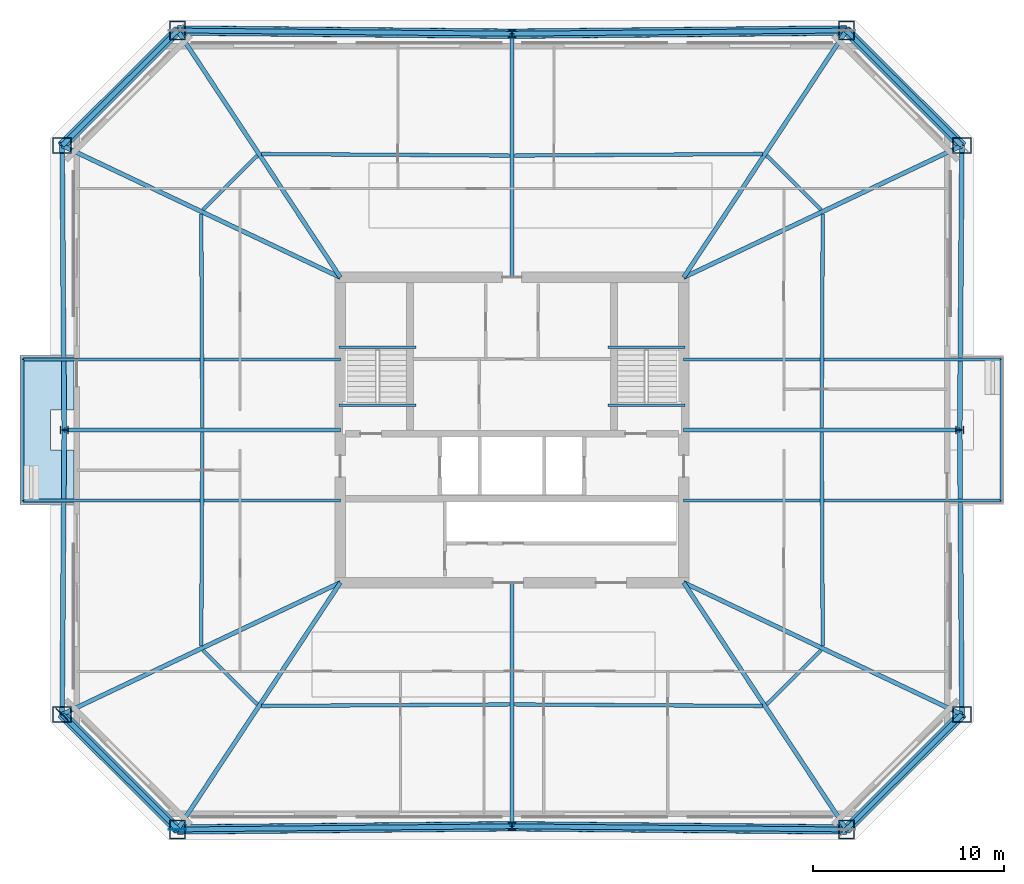
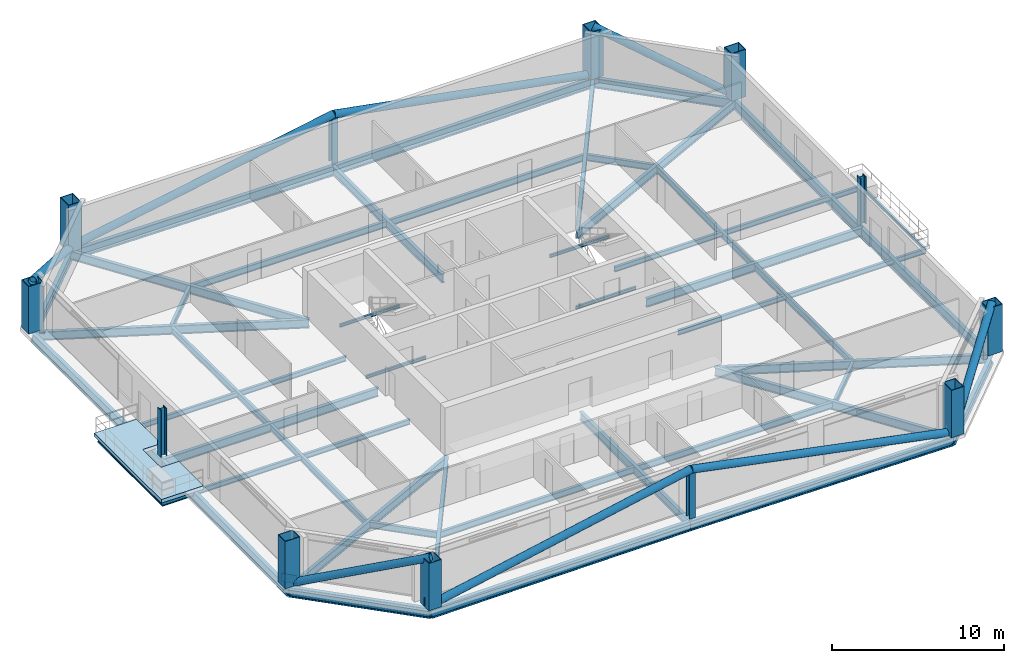
# One storey, part 1 of 8: 46 beams, 12 columns, 8 members, 2 plates, 1 slab.
"""IFC4 building model written with IfcOpenShell, lengths in metres."""

from ifc_helpers import new_model, si_unit, direction, frame, origin, origin_2d, place, context, subcontext, project, spatial, polyline, rectangle, hollow_rectangle, hollow_circle, i_section, outline, extrude, material, layer, layer_set, material_profile, profile_set, type_object, element, save


model = new_model("IFC4")

# Units and contexts
model_context = context("Model", 3, precision=1e-05, world=origin(), true_north=direction((0.0, 1.0)))
body_context = subcontext(model_context, "Body", "Model", "MODEL_VIEW")
ifc_project = project(units=[si_unit("LENGTHUNIT", "METRE"), si_unit("AREAUNIT", "SQUARE_METRE"), si_unit("VOLUMEUNIT", "CUBIC_METRE"), si_unit("PLANEANGLEUNIT", "RADIAN"), si_unit("MASSUNIT", "GRAM", prefix="KILO")], contexts=[model_context])

# Site, building, storey
site_placement = place(None, origin())
site = spatial("IfcSite", under=ifc_project, at=site_placement, CompositionType="ELEMENT")
building_placement = place(site_placement, origin())
building = spatial("IfcBuilding", under=site, at=building_placement, Name="Caelvoria Tower", CompositionType="ELEMENT")
storey_placement = place(building_placement, frame((0.0, 0.0, 138.39990234375)))
storey = spatial("IfcBuildingStorey", under=building, at=storey_placement, Name="L36", CompositionType="ELEMENT", Elevation=138.39990234375)

# Columns
ifc_material_1 = material(Name="Structural Steel ASTM A572 Gr.50", Category="steel")
ifc_material_profile_1 = material_profile(ifc_material_1, hollow_rectangle(XDim=0.85009765625, YDim=1.0, WallThickness=0.050048828125, at=origin_2d()), Name="Structural Steel ASTM A572 Gr.50")
ifc_profile_set_1 = profile_set([ifc_material_profile_1], Name="BOX1000X850X50 - Structural Steel ASTM A572 Gr.50")
column_type_1 = type_object("IfcColumnType", Name="Mega Box Column 1000x850x50", PredefinedType="COLUMN", material=ifc_profile_set_1)
for number, where, z_axis, x_axis, name in (
    (1, (28.462158203125, 11.052001953125, 0.0), (0.0, 0.0, 1.0), (1.0, 0.0, 0.0), "Perimeter Megaframe Column L36-P00"),
    (2, (63.537841796875, 11.052001953125, 0.0), (0.0, 0.0, 1.0), (1.0, 0.0, 0.0), "Perimeter Megaframe Column L36-P02"),
    (3, (69.59130859375, 17.084716796875, 0.0), (0.0, 0.0, 1.0), (0.0, 1.0, 0.0), "Perimeter Megaframe Column L36-P03"),
    (4, (69.59130859375, 46.915283203125, 0.0), (0.0, 0.0, 1.0), (0.0, 1.0, 0.0), "Perimeter Megaframe Column L36-P05"),
    (5, (63.537841796875, 52.947998046875, 0.0), (0.0, 0.0, 1.0), (1.0, 0.0, 0.0), "Perimeter Megaframe Column L36-P06"),
    (6, (28.462158203125, 52.947998046875, 0.0), (0.0, 0.0, 1.0), (1.0, 0.0, 0.0), "Perimeter Megaframe Column L36-P08"),
    (7, (22.40869140625, 46.915283203125, 0.0), (0.0, 0.0, 1.0), (0.0, 1.0, 0.0), "Perimeter Megaframe Column L36-P09"),
    (8, (22.40869140625, 17.084716796875, 0.0), (0.0, 0.0, 1.0), (0.0, 1.0, 0.0), "Perimeter Megaframe Column L36-P11"),
):
    element("IfcColumn", number, at=place(storey_placement, frame(where, z_axis=z_axis, x_axis=x_axis)), inside=storey, type_object=column_type_1, Name=name, PredefinedType="COLUMN", context=body_context, shape_type="SweptSolid", body=[
        extrude(hollow_rectangle(XDim=0.85009765625, YDim=1.0, WallThickness=0.050048828125, at=origin_2d()), origin(), (0.0, 0.0, 1.0), 3.358154296875),
    ])
ifc_material_2 = material(Name="Structural Steel ASTM A992 Gr.50", Category="steel")
ifc_material_profile_2 = material_profile(ifc_material_2, i_section(OverallWidth=0.406005859375, OverallDepth=0.425048828125, WebThickness=0.03271484375, FlangeThickness=0.052490234375, FilletRadius=0.02490234375, at=origin_2d()), Name="Structural Steel ASTM A992 Gr.50")
ifc_profile_set_2 = profile_set([ifc_material_profile_2], Name="W360X421 - Structural Steel ASTM A992 Gr.50")
column_type_2 = type_object("IfcColumnType", Name="Mid Frame Column W360X421", PredefinedType="COLUMN", material=ifc_profile_set_2)
for number, where, z_axis, x_axis, name in (
    (9, (46.0, 11.219970703125, 0.0), (0.0, 0.0, 1.0), (1.0, 0.0, 0.0), "Perimeter Megaframe Column L36-P01"),
    (10, (69.47998046875, 32.0, 0.0), (0.0, 0.0, 1.0), (0.0, 1.0, 0.0), "Perimeter Megaframe Column L36-P04"),
    (11, (46.0, 52.780029296875, 0.0), (0.0, 0.0, 1.0), (1.0, 0.0, 0.0), "Perimeter Megaframe Column L36-P07"),
    (12, (22.52001953125, 32.0, 0.0), (0.0, 0.0, 1.0), (0.0, 1.0, 0.0), "Perimeter Megaframe Column L36-P10"),
):
    element("IfcColumn", number, at=place(storey_placement, frame(where, z_axis=z_axis, x_axis=x_axis)), inside=storey, type_object=column_type_2, Name=name, PredefinedType="COLUMN", context=body_context, shape_type="SweptSolid", body=[
        extrude(i_section(OverallWidth=0.406005859375, OverallDepth=0.425048828125, WebThickness=0.03271484375, FlangeThickness=0.052490234375, FilletRadius=0.02490234375, at=origin_2d()), origin(), (0.0, 0.0, 1.0), 3.358154296875),
    ])

# Beams
ifc_material_profile_3 = material_profile(ifc_material_2, i_section(OverallWidth=0.134033203125, OverallDepth=0.2099609375, WebThickness=0.00634765625, FlangeThickness=0.01025390625, FilletRadius=0.010009765625, at=origin_2d()), Name="Structural Steel ASTM A992 Gr.50")
ifc_profile_set_3 = profile_set([ifc_material_profile_3], Name="W200X31.3 - Structural Steel ASTM A992 Gr.50")
beam_type_1 = type_object("IfcBeamType", Name="Canopy Edge Trim Beam W200X31.3", PredefinedType="BEAM", material=ifc_profile_set_3)
for number, where, z_axis, x_axis, name in (
    (13, (20.35009765625, 28.300048828125, -0.428955078125), (0.0, 1.0, 0.0), (-1.0, 0.0, 0.0), "Tree Balcony Edge Beam TB-L36-W"),
    (14, (71.64990234375, 28.300048828125, -0.428955078125), (0.0, 1.0, 0.0), (-1.0, 0.0, 0.0), "Tree Balcony Edge Beam TB-L36-E"),
):
    element("IfcBeam", number, at=place(storey_placement, frame(where, z_axis=z_axis, x_axis=x_axis)), inside=storey, type_object=beam_type_1, Name=name, PredefinedType="BEAM", context=body_context, shape_type="SweptSolid", body=[
        extrude(i_section(OverallWidth=0.134033203125, OverallDepth=0.2099609375, WebThickness=0.00634765625, FlangeThickness=0.01025390625, FilletRadius=0.010009765625, at=origin_2d()), origin(), (0.0, 0.0, 1.0), 7.39990234375),
    ])
for number, where, z_axis, x_axis, name in (
    (15, (36.929931640625, 36.35009765625, 1.4951171875), (1.0, 0.0, 0.0), (0.0, 1.0, 0.0), "ST-01 Half-Landing Support Beam L36"),
    (16, (36.929931640625, 33.300048828125, -0.304931640625), (1.0, 0.0, 0.0), (0.0, 1.0, 0.0), "ST-01 Floor-Landing Support Beam L36"),
    (17, (51.030029296875, 36.35009765625, 1.4951171875), (1.0, 0.0, 0.0), (0.0, 1.0, 0.0), "ST-02 Half-Landing Support Beam L36"),
    (18, (51.030029296875, 33.300048828125, -0.304931640625), (1.0, 0.0, 0.0), (0.0, 1.0, 0.0), "ST-02 Floor-Landing Support Beam L36"),
):
    element("IfcBeam", number, at=place(storey_placement, frame(where, z_axis=z_axis, x_axis=x_axis)), inside=storey, type_object=beam_type_1, Name=name, PredefinedType="BEAM", context=body_context, shape_type="SweptSolid", body=[
        extrude(i_section(OverallWidth=0.134033203125, OverallDepth=0.2099609375, WebThickness=0.00634765625, FlangeThickness=0.01025390625, FilletRadius=0.010009765625, at=origin_2d()), origin(), (0.0, 0.0, 1.0), 4.0400390625),
    ])

# Members
ifc_material_profile_4 = material_profile(ifc_material_1, hollow_circle(Radius=0.25390625, WallThickness=0.02001953125, at=origin_2d()), Name="Structural Steel ASTM A572 Gr.50")
ifc_profile_set_4 = profile_set([ifc_material_profile_4], Name="CHS508X20 - Structural Steel ASTM A572 Gr.50")
member_type = type_object("IfcMemberType", Name="Mid Perimeter Mega Brace CHS508X20", PredefinedType="BRACE", material=ifc_profile_set_4)
for number, where, z_axis, x_axis, name in (
    (19, (63.537841796875, 11.052001953125, 0.0), (0.659199934996, 0.656940124773, 0.365903154078), (-0.705891639545, 0.708319838224, 0.0), "Perimeter Chamfer Mega Brace L36 SE"),
    (20, (69.59130859375, 46.915283203125, 0.0), (-0.659199934996, 0.656940124773, 0.365903154078), (-0.705891639545, -0.708319838224, 0.0), "Perimeter Chamfer Mega Brace L36 NE"),
    (21, (28.462158203125, 52.947998046875, 0.0), (-0.659199934996, -0.656940124773, 0.365903154078), (0.705891639545, -0.708319838224, 0.0), "Perimeter Chamfer Mega Brace L36 NW"),
    (22, (22.40869140625, 17.084716796875, 0.0), (0.659199934996, -0.656940124773, 0.365903154078), (0.705891639545, 0.708319838224, 0.0), "Perimeter Chamfer Mega Brace L36 SW"),
):
    element("IfcMember", number, at=place(storey_placement, frame(where, z_axis=z_axis, x_axis=x_axis)), inside=storey, type_object=member_type, Name=name, PredefinedType="BRACE", context=body_context, shape_type="SweptSolid", body=[
        extrude(hollow_circle(Radius=0.25390625, WallThickness=0.02001953125, at=origin_2d()), origin(), (0.0, 0.0, 1.0), 9.18310546875),
    ])
for number, where, z_axis, x_axis, name in (
    (23, (28.462158203125, 11.052001953125, 0.0), (0.982093148225, 0.009406001058, 0.188161035693), (-0.009577064767, 0.999954138864, 0.0), "Perimeter Cardinal Mega Brace L36 SA"),
    (24, (63.537841796875, 11.052001953125, 0.0), (-0.982093148225, 0.009406001058, 0.188161035693), (-0.009577064767, -0.999954138864, 0.0), "Perimeter Cardinal Mega Brace L36 SB"),
    (25, (63.537841796875, 52.947998046875, 0.0), (-0.982093148225, -0.009406001058, 0.188161035693), (0.009577064767, -0.999954138864, 0.0), "Perimeter Cardinal Mega Brace L36 NA"),
    (26, (28.462158203125, 52.947998046875, 0.0), (0.982093148225, -0.009406001058, 0.188161035693), (0.009577064767, 0.999954138864, 0.0), "Perimeter Cardinal Mega Brace L36 NB"),
):
    element("IfcMember", number, at=place(storey_placement, frame(where, z_axis=z_axis, x_axis=x_axis)), inside=storey, type_object=member_type, Name=name, PredefinedType="BRACE", context=body_context, shape_type="SweptSolid", body=[
        extrude(hollow_circle(Radius=0.25390625, WallThickness=0.02001953125, at=origin_2d()), origin(), (0.0, 0.0, 1.0), 17.857666015625),
    ])

# Beams
ifc_material_profile_5 = material_profile(ifc_material_2, i_section(OverallWidth=0.25390625, OverallDepth=0.68798828125, WebThickness=0.01318359375, FlangeThickness=0.02099609375, FilletRadius=0.01904296875, at=origin_2d()), Name="Structural Steel ASTM A992 Gr.50")
ifc_profile_set_5 = profile_set([ifc_material_profile_5], Name="W690X152 - Structural Steel ASTM A992 Gr.50")
beam_type_2 = type_object("IfcBeamType", Name="Perimeter Spandrel Girder W690X152", PredefinedType="BEAM", material=ifc_profile_set_5)
for number, where, z_axis, x_axis, name in (
    (27, (28.462158203125, 11.052001953125, -0.583984375), (0.999954138864, 0.009577064767, 0.0), (-0.009577064767, 0.999954138864, 0.0), "Perimeter Spandrel Girder L36-00"),
    (28, (46.0, 11.219970703125, -0.583984375), (0.999954138864, -0.009577064767, 0.0), (0.009577064767, 0.999954138864, 0.0), "Perimeter Spandrel Girder L36-01"),
):
    element("IfcBeam", number, at=place(storey_placement, frame(where, z_axis=z_axis, x_axis=x_axis)), inside=storey, type_object=beam_type_2, Name=name, PredefinedType="BEAM", context=body_context, shape_type="SweptSolid", body=[
        extrude(i_section(OverallWidth=0.25390625, OverallDepth=0.68798828125, WebThickness=0.01318359375, FlangeThickness=0.02099609375, FilletRadius=0.01904296875, at=origin_2d()), origin(), (0.0, 0.0, 1.0), 17.53857421875),
    ])
beam_1_placement = place(storey_placement, frame((63.537841796875, 11.052001953125, -0.583984375), z_axis=(0.708319838224, 0.705891639545, 0.0), x_axis=(-0.705891639545, 0.708319838224, 0.0)))
element("IfcBeam", 29, at=beam_1_placement, inside=storey, type_object=beam_type_2, Name="Perimeter Spandrel Girder L36-02", PredefinedType="BEAM", context=body_context, shape_type="SweptSolid", body=[
    extrude(i_section(OverallWidth=0.25390625, OverallDepth=0.68798828125, WebThickness=0.01318359375, FlangeThickness=0.02099609375, FilletRadius=0.01904296875, at=origin_2d()), origin(), (0.0, 0.0, 1.0), 8.546142578125),
])
for number, where, z_axis, x_axis, name in (
    (30, (69.59130859375, 17.084716796875, -0.583984375), (-0.007463822341, 0.99997214529, 0.0), (-0.99997214529, -0.007463822341, 0.0), "Perimeter Spandrel Girder L36-03"),
    (31, (69.47998046875, 32.0, -0.583984375), (0.007463822341, 0.99997214529, 0.0), (-0.99997214529, 0.007463822341, 0.0), "Perimeter Spandrel Girder L36-04"),
):
    element("IfcBeam", number, at=place(storey_placement, frame(where, z_axis=z_axis, x_axis=x_axis)), inside=storey, type_object=beam_type_2, Name=name, PredefinedType="BEAM", context=body_context, shape_type="SweptSolid", body=[
        extrude(i_section(OverallWidth=0.25390625, OverallDepth=0.68798828125, WebThickness=0.01318359375, FlangeThickness=0.02099609375, FilletRadius=0.01904296875, at=origin_2d()), origin(), (0.0, 0.0, 1.0), 14.915771484375),
    ])
beam_2_placement = place(storey_placement, frame((69.59130859375, 46.915283203125, -0.583984375), z_axis=(-0.708319838224, 0.705891639545, 0.0), x_axis=(-0.705891639545, -0.708319838224, 0.0)))
element("IfcBeam", 32, at=beam_2_placement, inside=storey, type_object=beam_type_2, Name="Perimeter Spandrel Girder L36-05", PredefinedType="BEAM", context=body_context, shape_type="SweptSolid", body=[
    extrude(i_section(OverallWidth=0.25390625, OverallDepth=0.68798828125, WebThickness=0.01318359375, FlangeThickness=0.02099609375, FilletRadius=0.01904296875, at=origin_2d()), origin(), (0.0, 0.0, 1.0), 8.546142578125),
])
for number, where, z_axis, x_axis, name in (
    (33, (63.537841796875, 52.947998046875, -0.583984375), (-0.999954138864, -0.009577064767, 0.0), (0.009577064767, -0.999954138864, 0.0), "Perimeter Spandrel Girder L36-06"),
    (34, (46.0, 52.780029296875, -0.583984375), (-0.999954138864, 0.009577064767, 0.0), (-0.009577064767, -0.999954138864, 0.0), "Perimeter Spandrel Girder L36-07"),
):
    element("IfcBeam", number, at=place(storey_placement, frame(where, z_axis=z_axis, x_axis=x_axis)), inside=storey, type_object=beam_type_2, Name=name, PredefinedType="BEAM", context=body_context, shape_type="SweptSolid", body=[
        extrude(i_section(OverallWidth=0.25390625, OverallDepth=0.68798828125, WebThickness=0.01318359375, FlangeThickness=0.02099609375, FilletRadius=0.01904296875, at=origin_2d()), origin(), (0.0, 0.0, 1.0), 17.53857421875),
    ])
beam_3_placement = place(storey_placement, frame((28.462158203125, 52.947998046875, -0.583984375), z_axis=(-0.708319838224, -0.705891639545, 0.0), x_axis=(0.705891639545, -0.708319838224, 0.0)))
element("IfcBeam", 35, at=beam_3_placement, inside=storey, type_object=beam_type_2, Name="Perimeter Spandrel Girder L36-08", PredefinedType="BEAM", context=body_context, shape_type="SweptSolid", body=[
    extrude(i_section(OverallWidth=0.25390625, OverallDepth=0.68798828125, WebThickness=0.01318359375, FlangeThickness=0.02099609375, FilletRadius=0.01904296875, at=origin_2d()), origin(), (0.0, 0.0, 1.0), 8.546142578125),
])
for number, where, z_axis, x_axis, name in (
    (36, (22.40869140625, 46.915283203125, -0.583984375), (0.007463822341, -0.99997214529, 0.0), (0.99997214529, 0.007463822341, 0.0), "Perimeter Spandrel Girder L36-09"),
    (37, (22.52001953125, 32.0, -0.583984375), (-0.007463822341, -0.99997214529, 0.0), (0.99997214529, -0.007463822341, 0.0), "Perimeter Spandrel Girder L36-10"),
):
    element("IfcBeam", number, at=place(storey_placement, frame(where, z_axis=z_axis, x_axis=x_axis)), inside=storey, type_object=beam_type_2, Name=name, PredefinedType="BEAM", context=body_context, shape_type="SweptSolid", body=[
        extrude(i_section(OverallWidth=0.25390625, OverallDepth=0.68798828125, WebThickness=0.01318359375, FlangeThickness=0.02099609375, FilletRadius=0.01904296875, at=origin_2d()), origin(), (0.0, 0.0, 1.0), 14.915771484375),
    ])
beam_4_placement = place(storey_placement, frame((22.40869140625, 17.084716796875, -0.583984375), z_axis=(0.708319838224, -0.705891639545, 0.0), x_axis=(0.705891639545, 0.708319838224, 0.0)))
element("IfcBeam", 38, at=beam_4_placement, inside=storey, type_object=beam_type_2, Name="Perimeter Spandrel Girder L36-11", PredefinedType="BEAM", context=body_context, shape_type="SweptSolid", body=[
    extrude(i_section(OverallWidth=0.25390625, OverallDepth=0.68798828125, WebThickness=0.01318359375, FlangeThickness=0.02099609375, FilletRadius=0.01904296875, at=origin_2d()), origin(), (0.0, 0.0, 1.0), 8.546142578125),
])
ifc_material_profile_6 = material_profile(ifc_material_2, i_section(OverallWidth=0.22900390625, OverallDepth=0.612060546875, WebThickness=0.011962890625, FlangeThickness=0.01953125, FilletRadius=0.01806640625, at=origin_2d()), Name="Structural Steel ASTM A992 Gr.50")
ifc_profile_set_6 = profile_set([ifc_material_profile_6], Name="W610X125 - Structural Steel ASTM A992 Gr.50")
beam_type_3 = type_object("IfcBeamType", Name="Primary Radial Floor Girder W610X125", PredefinedType="BEAM", material=ifc_profile_set_6)
beam_5_placement = place(storey_placement, frame((37.0, 24.0, -0.5458984375), z_axis=(-0.550490183299, -0.834841636535, 0.0), x_axis=(0.834841636535, -0.550490183299, 0.0)))
element("IfcBeam", 39, at=beam_5_placement, inside=storey, type_object=beam_type_3, Name="Primary Floor Girder L36-00", PredefinedType="BEAM", context=body_context, shape_type="SweptSolid", body=[
    extrude(i_section(OverallWidth=0.22900390625, OverallDepth=0.612060546875, WebThickness=0.011962890625, FlangeThickness=0.01953125, FilletRadius=0.01806640625, at=origin_2d()), origin(), (0.0, 0.0, 1.0), 15.509521484375),
])
beam_6_placement = place(storey_placement, frame((46.0, 24.0, -0.5458984375), z_axis=(0.0, -1.0, 0.0), x_axis=(1.0, 0.0, 0.0)))
element("IfcBeam", 40, at=beam_6_placement, inside=storey, type_object=beam_type_3, Name="Primary Floor Girder L36-01", PredefinedType="BEAM", context=body_context, shape_type="SweptSolid", body=[
    extrude(i_section(OverallWidth=0.22900390625, OverallDepth=0.612060546875, WebThickness=0.011962890625, FlangeThickness=0.01953125, FilletRadius=0.01806640625, at=origin_2d()), origin(), (0.0, 0.0, 1.0), 12.780029296875),
])
beam_7_placement = place(storey_placement, frame((55.0, 24.0, -0.5458984375), z_axis=(0.550490183299, -0.834841636535, 0.0), x_axis=(0.834841636535, 0.550490183299, 0.0)))
element("IfcBeam", 41, at=beam_7_placement, inside=storey, type_object=beam_type_3, Name="Primary Floor Girder L36-02", PredefinedType="BEAM", context=body_context, shape_type="SweptSolid", body=[
    extrude(i_section(OverallWidth=0.22900390625, OverallDepth=0.612060546875, WebThickness=0.011962890625, FlangeThickness=0.01953125, FilletRadius=0.01806640625, at=origin_2d()), origin(), (0.0, 0.0, 1.0), 15.509521484375),
])
beam_8_placement = place(storey_placement, frame((55.0, 24.0, -0.5458984375), z_axis=(0.903651309057, -0.428268971138, 0.0), x_axis=(0.428268971138, 0.903651309057, 0.0)))
element("IfcBeam", 42, at=beam_8_placement, inside=storey, type_object=beam_type_3, Name="Primary Floor Girder L36-03", PredefinedType="BEAM", context=body_context, shape_type="SweptSolid", body=[
    extrude(i_section(OverallWidth=0.22900390625, OverallDepth=0.612060546875, WebThickness=0.011962890625, FlangeThickness=0.01953125, FilletRadius=0.01806640625, at=origin_2d()), origin(), (0.0, 0.0, 1.0), 16.14697265625),
])
beam_9_placement = place(storey_placement, frame((55.0, 32.0, -0.5458984375), z_axis=(1.0, 0.0, 0.0), x_axis=(0.0, 1.0, 0.0)))
element("IfcBeam", 43, at=beam_9_placement, inside=storey, type_object=beam_type_3, Name="Primary Floor Girder L36-04", PredefinedType="BEAM", context=body_context, shape_type="SweptSolid", body=[
    extrude(i_section(OverallWidth=0.22900390625, OverallDepth=0.612060546875, WebThickness=0.011962890625, FlangeThickness=0.01953125, FilletRadius=0.01806640625, at=origin_2d()), origin(), (0.0, 0.0, 1.0), 14.47998046875),
])
beam_10_placement = place(storey_placement, frame((55.0, 40.0, -0.5458984375), z_axis=(0.903651309057, 0.428268971138, 0.0), x_axis=(-0.428268971138, 0.903651309057, 0.0)))
element("IfcBeam", 44, at=beam_10_placement, inside=storey, type_object=beam_type_3, Name="Primary Floor Girder L36-05", PredefinedType="BEAM", context=body_context, shape_type="SweptSolid", body=[
    extrude(i_section(OverallWidth=0.22900390625, OverallDepth=0.612060546875, WebThickness=0.011962890625, FlangeThickness=0.01953125, FilletRadius=0.01806640625, at=origin_2d()), origin(), (0.0, 0.0, 1.0), 16.14697265625),
])
beam_11_placement = place(storey_placement, frame((55.0, 40.0, -0.5458984375), z_axis=(0.550490183299, 0.834841636535, 0.0), x_axis=(-0.834841636535, 0.550490183299, 0.0)))
element("IfcBeam", 45, at=beam_11_placement, inside=storey, type_object=beam_type_3, Name="Primary Floor Girder L36-06", PredefinedType="BEAM", context=body_context, shape_type="SweptSolid", body=[
    extrude(i_section(OverallWidth=0.22900390625, OverallDepth=0.612060546875, WebThickness=0.011962890625, FlangeThickness=0.01953125, FilletRadius=0.01806640625, at=origin_2d()), origin(), (0.0, 0.0, 1.0), 15.509521484375),
])
beam_12_placement = place(storey_placement, frame((46.0, 40.0, -0.5458984375), z_axis=(0.0, 1.0, 0.0), x_axis=(-1.0, 0.0, 0.0)))
element("IfcBeam", 46, at=beam_12_placement, inside=storey, type_object=beam_type_3, Name="Primary Floor Girder L36-07", PredefinedType="BEAM", context=body_context, shape_type="SweptSolid", body=[
    extrude(i_section(OverallWidth=0.22900390625, OverallDepth=0.612060546875, WebThickness=0.011962890625, FlangeThickness=0.01953125, FilletRadius=0.01806640625, at=origin_2d()), origin(), (0.0, 0.0, 1.0), 12.780029296875),
])
beam_13_placement = place(storey_placement, frame((37.0, 40.0, -0.5458984375), z_axis=(-0.550490183299, 0.834841636535, 0.0), x_axis=(-0.834841636535, -0.550490183299, 0.0)))
element("IfcBeam", 47, at=beam_13_placement, inside=storey, type_object=beam_type_3, Name="Primary Floor Girder L36-08", PredefinedType="BEAM", context=body_context, shape_type="SweptSolid", body=[
    extrude(i_section(OverallWidth=0.22900390625, OverallDepth=0.612060546875, WebThickness=0.011962890625, FlangeThickness=0.01953125, FilletRadius=0.01806640625, at=origin_2d()), origin(), (0.0, 0.0, 1.0), 15.509521484375),
])
beam_14_placement = place(storey_placement, frame((37.0, 40.0, -0.5458984375), z_axis=(-0.903651309057, 0.428268971138, 0.0), x_axis=(-0.428268971138, -0.903651309057, 0.0)))
element("IfcBeam", 48, at=beam_14_placement, inside=storey, type_object=beam_type_3, Name="Primary Floor Girder L36-09", PredefinedType="BEAM", context=body_context, shape_type="SweptSolid", body=[
    extrude(i_section(OverallWidth=0.22900390625, OverallDepth=0.612060546875, WebThickness=0.011962890625, FlangeThickness=0.01953125, FilletRadius=0.01806640625, at=origin_2d()), origin(), (0.0, 0.0, 1.0), 16.14697265625),
])
beam_15_placement = place(storey_placement, frame((37.0, 32.0, -0.5458984375), z_axis=(-1.0, 0.0, 0.0), x_axis=(0.0, -1.0, 0.0)))
element("IfcBeam", 49, at=beam_15_placement, inside=storey, type_object=beam_type_3, Name="Primary Floor Girder L36-10", PredefinedType="BEAM", context=body_context, shape_type="SweptSolid", body=[
    extrude(i_section(OverallWidth=0.22900390625, OverallDepth=0.612060546875, WebThickness=0.011962890625, FlangeThickness=0.01953125, FilletRadius=0.01806640625, at=origin_2d()), origin(), (0.0, 0.0, 1.0), 14.47998046875),
])
beam_16_placement = place(storey_placement, frame((37.0, 24.0, -0.5458984375), z_axis=(-0.903651309057, -0.428268971138, 0.0), x_axis=(0.428268971138, -0.903651309057, 0.0)))
element("IfcBeam", 50, at=beam_16_placement, inside=storey, type_object=beam_type_3, Name="Primary Floor Girder L36-11", PredefinedType="BEAM", context=body_context, shape_type="SweptSolid", body=[
    extrude(i_section(OverallWidth=0.22900390625, OverallDepth=0.612060546875, WebThickness=0.011962890625, FlangeThickness=0.01953125, FilletRadius=0.01806640625, at=origin_2d()), origin(), (0.0, 0.0, 1.0), 16.14697265625),
])
ifc_material_profile_7 = material_profile(ifc_material_2, i_section(OverallWidth=0.18994140625, OverallDepth=0.45703125, WebThickness=0.009033203125, FlangeThickness=0.014404296875, FilletRadius=0.014892578125, at=origin_2d()), Name="Structural Steel ASTM A992 Gr.50")
ifc_profile_set_7 = profile_set([ifc_material_profile_7], Name="W460X74 - Structural Steel ASTM A992 Gr.50")
beam_type_4 = type_object("IfcBeamType", Name="Secondary Floor Beam W460X74", PredefinedType="BEAM", material=ifc_profile_set_7)
for number, where, z_axis, x_axis, name in (
    (51, (32.856201171875, 17.52685546875, -0.468505859375), (0.999980031057, 0.006319611261, 0.0), (-0.006319611261, 0.999980031057, 0.0), "Secondary Floor Beam L36-00"),
    (52, (46.125, 17.609130859375, -0.468505859375), (0.999980031057, -0.006319611261, 0.0), (0.006319611261, 0.999980031057, 0.0), "Secondary Floor Beam L36-01"),
):
    element("IfcBeam", number, at=place(storey_placement, frame(where, z_axis=z_axis, x_axis=x_axis)), inside=storey, type_object=beam_type_4, Name=name, PredefinedType="BEAM", context=body_context, shape_type="SweptSolid", body=[
        extrude(i_section(OverallWidth=0.18994140625, OverallDepth=0.45703125, WebThickness=0.009033203125, FlangeThickness=0.014404296875, FilletRadius=0.014892578125, at=origin_2d()), origin(), (0.0, 0.0, 1.0), 13.01904296875),
    ])
beam_17_placement = place(storey_placement, frame((59.357421875, 17.6142578125, -0.468505859375), z_axis=(0.708349683193, 0.705861690645, 0.0), x_axis=(-0.705861690645, 0.708349683193, 0.0)))
element("IfcBeam", 53, at=beam_17_placement, inside=storey, type_object=beam_type_4, Name="Secondary Floor Beam L36-02", PredefinedType="BEAM", context=body_context, shape_type="SweptSolid", body=[
    extrude(i_section(OverallWidth=0.18994140625, OverallDepth=0.45703125, WebThickness=0.009033203125, FlangeThickness=0.014404296875, FilletRadius=0.014892578125, at=origin_2d()), origin(), (0.0, 0.0, 1.0), 4.023193359375),
])
for number, where, z_axis, x_axis, name in (
    (54, (62.295166015625, 20.66748046875, -0.468505859375), (-0.004879478354, 0.999988095275, 0.0), (-0.999988095275, -0.004879478354, 0.0), "Secondary Floor Beam L36-03"),
    (55, (62.240478515625, 32.125, -0.468505859375), (0.004879478354, 0.999988095275, 0.0), (-0.999988095275, 0.004879478354, 0.0), "Secondary Floor Beam L36-04"),
):
    element("IfcBeam", number, at=place(storey_placement, frame(where, z_axis=z_axis, x_axis=x_axis)), inside=storey, type_object=beam_type_4, Name=name, PredefinedType="BEAM", context=body_context, shape_type="SweptSolid", body=[
        extrude(i_section(OverallWidth=0.18994140625, OverallDepth=0.45703125, WebThickness=0.009033203125, FlangeThickness=0.014404296875, FilletRadius=0.014892578125, at=origin_2d()), origin(), (0.0, 0.0, 1.0), 11.207763671875),
    ])
beam_18_placement = place(storey_placement, frame((62.207275390625, 43.5458984375, -0.468505859375), z_axis=(-0.708349683193, 0.705861690645, 0.0), x_axis=(-0.705861690645, -0.708349683193, 0.0)))
element("IfcBeam", 56, at=beam_18_placement, inside=storey, type_object=beam_type_4, Name="Secondary Floor Beam L36-05", PredefinedType="BEAM", context=body_context, shape_type="SweptSolid", body=[
    extrude(i_section(OverallWidth=0.18994140625, OverallDepth=0.45703125, WebThickness=0.009033203125, FlangeThickness=0.014404296875, FilletRadius=0.014892578125, at=origin_2d()), origin(), (0.0, 0.0, 1.0), 4.023193359375),
])
for number, where, z_axis, x_axis, name in (
    (57, (59.143798828125, 46.47314453125, -0.468505859375), (-0.999980031057, -0.006319611261, 0.0), (0.006319611261, -0.999980031057, 0.0), "Secondary Floor Beam L36-06"),
    (58, (45.875, 46.390869140625, -0.468505859375), (-0.999980031057, 0.006319611261, 0.0), (-0.006319611261, -0.999980031057, 0.0), "Secondary Floor Beam L36-07"),
):
    element("IfcBeam", number, at=place(storey_placement, frame(where, z_axis=z_axis, x_axis=x_axis)), inside=storey, type_object=beam_type_4, Name=name, PredefinedType="BEAM", context=body_context, shape_type="SweptSolid", body=[
        extrude(i_section(OverallWidth=0.18994140625, OverallDepth=0.45703125, WebThickness=0.009033203125, FlangeThickness=0.014404296875, FilletRadius=0.014892578125, at=origin_2d()), origin(), (0.0, 0.0, 1.0), 13.01904296875),
    ])
beam_19_placement = place(storey_placement, frame((32.642578125, 46.3857421875, -0.468505859375), z_axis=(-0.708349683193, -0.705861690645, 0.0), x_axis=(0.705861690645, -0.708349683193, 0.0)))
element("IfcBeam", 59, at=beam_19_placement, inside=storey, type_object=beam_type_4, Name="Secondary Floor Beam L36-08", PredefinedType="BEAM", context=body_context, shape_type="SweptSolid", body=[
    extrude(i_section(OverallWidth=0.18994140625, OverallDepth=0.45703125, WebThickness=0.009033203125, FlangeThickness=0.014404296875, FilletRadius=0.014892578125, at=origin_2d()), origin(), (0.0, 0.0, 1.0), 4.023193359375),
])
for number, where, z_axis, x_axis, name in (
    (60, (29.704833984375, 43.33251953125, -0.468505859375), (0.004879478354, -0.999988095275, 0.0), (0.999988095275, 0.004879478354, 0.0), "Secondary Floor Beam L36-09"),
    (61, (29.759521484375, 31.875, -0.468505859375), (-0.004879478354, -0.999988095275, 0.0), (0.999988095275, -0.004879478354, 0.0), "Secondary Floor Beam L36-10"),
):
    element("IfcBeam", number, at=place(storey_placement, frame(where, z_axis=z_axis, x_axis=x_axis)), inside=storey, type_object=beam_type_4, Name=name, PredefinedType="BEAM", context=body_context, shape_type="SweptSolid", body=[
        extrude(i_section(OverallWidth=0.18994140625, OverallDepth=0.45703125, WebThickness=0.009033203125, FlangeThickness=0.014404296875, FilletRadius=0.014892578125, at=origin_2d()), origin(), (0.0, 0.0, 1.0), 11.207763671875),
    ])
beam_20_placement = place(storey_placement, frame((29.792724609375, 20.4541015625, -0.468505859375), z_axis=(0.708349683193, -0.705861690645, 0.0), x_axis=(0.705861690645, 0.708349683193, 0.0)))
element("IfcBeam", 62, at=beam_20_placement, inside=storey, type_object=beam_type_4, Name="Secondary Floor Beam L36-11", PredefinedType="BEAM", context=body_context, shape_type="SweptSolid", body=[
    extrude(i_section(OverallWidth=0.18994140625, OverallDepth=0.45703125, WebThickness=0.009033203125, FlangeThickness=0.014404296875, FilletRadius=0.014892578125, at=origin_2d()), origin(), (0.0, 0.0, 1.0), 4.023193359375),
])
ifc_material_profile_8 = material_profile(ifc_material_2, i_section(OverallWidth=0.1708984375, OverallDepth=0.35498046875, WebThickness=0.007080078125, FlangeThickness=0.01171875, FilletRadius=0.012939453125, at=origin_2d()), Name="Structural Steel ASTM A992 Gr.50")
ifc_profile_set_8 = profile_set([ifc_material_profile_8], Name="W360X51 - Structural Steel ASTM A992 Gr.50")
beam_type_5 = type_object("IfcBeamType", Name="Tree Balcony Cantilever Beam W360X51", PredefinedType="BEAM", material=ifc_profile_set_8)
for number, where, z_axis, x_axis, name in (
    (63, (37.0, 28.300048828125, -0.428955078125), (-1.0, 0.0, 0.0), (0.0, -1.0, 0.0), "Tree Balcony Cantilever Beam TB-L36-W L"),
    (64, (37.0, 35.699951171875, -0.428955078125), (-1.0, 0.0, 0.0), (0.0, -1.0, 0.0), "Tree Balcony Cantilever Beam TB-L36-W R"),
    (65, (55.0, 28.300048828125, -0.428955078125), (1.0, 0.0, 0.0), (0.0, 1.0, 0.0), "Tree Balcony Cantilever Beam TB-L36-E L"),
    (66, (55.0, 35.699951171875, -0.428955078125), (1.0, 0.0, 0.0), (0.0, 1.0, 0.0), "Tree Balcony Cantilever Beam TB-L36-E R"),
):
    element("IfcBeam", number, at=place(storey_placement, frame(where, z_axis=z_axis, x_axis=x_axis)), inside=storey, type_object=beam_type_5, Name=name, PredefinedType="BEAM", context=body_context, shape_type="SweptSolid", body=[
        extrude(i_section(OverallWidth=0.1708984375, OverallDepth=0.35498046875, WebThickness=0.007080078125, FlangeThickness=0.01171875, FilletRadius=0.012939453125, at=origin_2d()), origin(), (0.0, 0.0, 1.0), 16.64990234375),
    ])

# Plates
ifc_layer_1 = layer(ifc_material_1, 0.0400390625, Name="Structural Steel ASTM A572 Gr.50")
ifc_layer_set_1 = layer_set([ifc_layer_1], Name="Megaframe Node Gusset Plate 900x600x40 - Structural Steel ASTM A572 Gr.50")
plate_type = type_object("IfcPlateType", Name="Megaframe Node Gusset Plate 900x600x40", PredefinedType="USERDEFINED", material=ifc_layer_set_1)
for number, where, z_axis, x_axis, name in (
    (67, (22.40869140625, 17.084716796875, 0.02001953125), (0.0, 0.0, 1.0), (0.708328749832, -0.705882697168, 0.0), "Chamfer Mega Brace Gusset L36 SW"),
    (68, (28.462158203125, 11.052001953125, 0.050048828125), (0.0, 0.0, 1.0), (0.999954177932, 0.009572984727, 0.0), "Megaframe Node Gusset Plate ND-01"),
):
    element("IfcPlate", number, at=place(storey_placement, frame(where, z_axis=z_axis, x_axis=x_axis)), inside=storey, type_object=plate_type, Name=name, ObjectType="GUSSET_PLATE", PredefinedType="USERDEFINED", context=body_context, shape_type="SweptSolid", body=[
        extrude(rectangle(XDim=0.89990234375, YDim=0.0400390625, at=origin_2d()), origin(), (0.0, 0.0, 1.0), 0.60009765625),
    ])

# Slab
ifc_material_3 = material(Name="Concrete C45/55", Category="concrete")
ifc_layer_2 = layer(ifc_material_3, 0.25, Name="Concrete C45/55")
ifc_layer_set_2 = layer_set([ifc_layer_2], Name="Tree Balcony Structural Planter Slab 250 - Concrete C45/55")
slab_type = type_object("IfcSlabType", Name="Tree Balcony Structural Planter Slab 250", PredefinedType="FLOOR", material=ifc_layer_set_2)
slab_placement = place(storey_placement, frame((0.0, 0.0, -0.25)))
element("IfcSlab", 69, at=slab_placement, inside=storey, type_object=slab_type, Name="Tree Balcony Slab TB-L36-W", PredefinedType="FLOOR", context=body_context, shape_type="SweptSolid", body=[
    extrude(outline(polyline([(20.199951171875, 28.10009765625), (21.800048828125, 28.10009765625), (23.0400390625, 28.10009765625), (23.0400390625, 30.9599609375), (21.800048828125, 30.9599609375), (21.800048828125, 33.0400390625), (23.0400390625, 33.0400390625), (23.0400390625, 35.89990234375), (21.800048828125, 35.89990234375), (20.199951171875, 35.89990234375), (20.199951171875, 28.10009765625)])), origin(), (0.0, 0.0, 1.0), 0.25),
])

save(model, "model.ifc")
